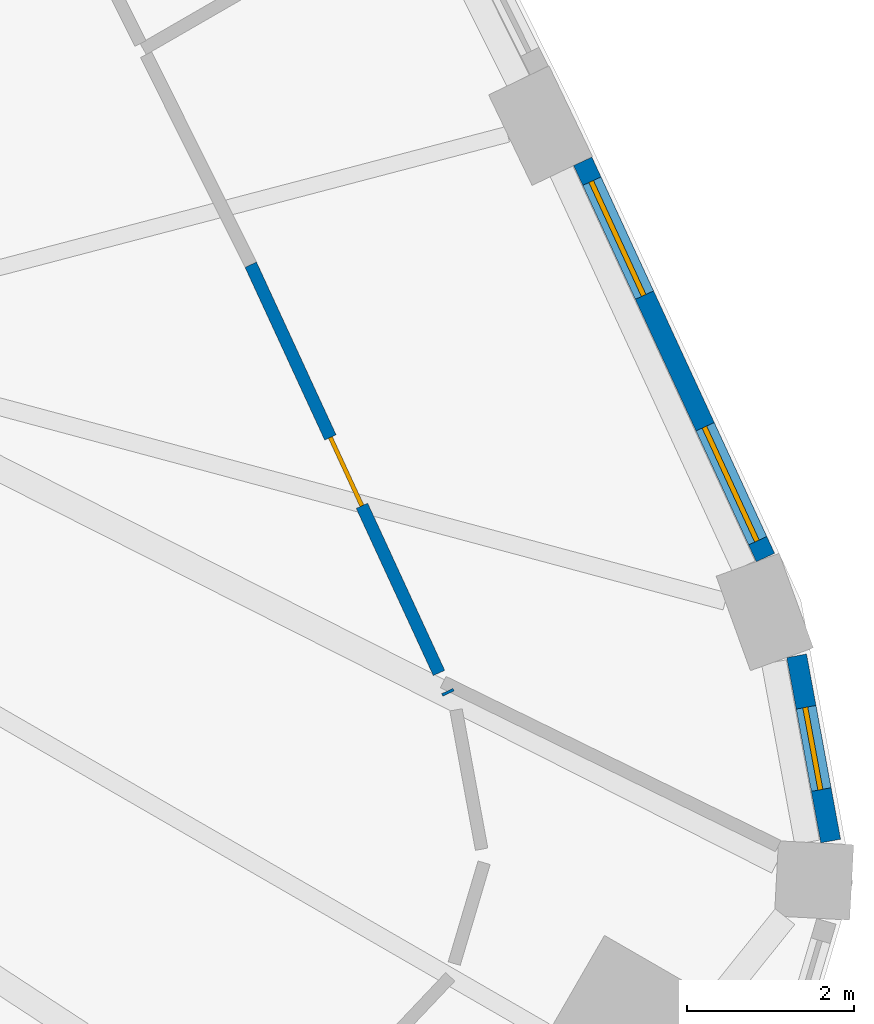
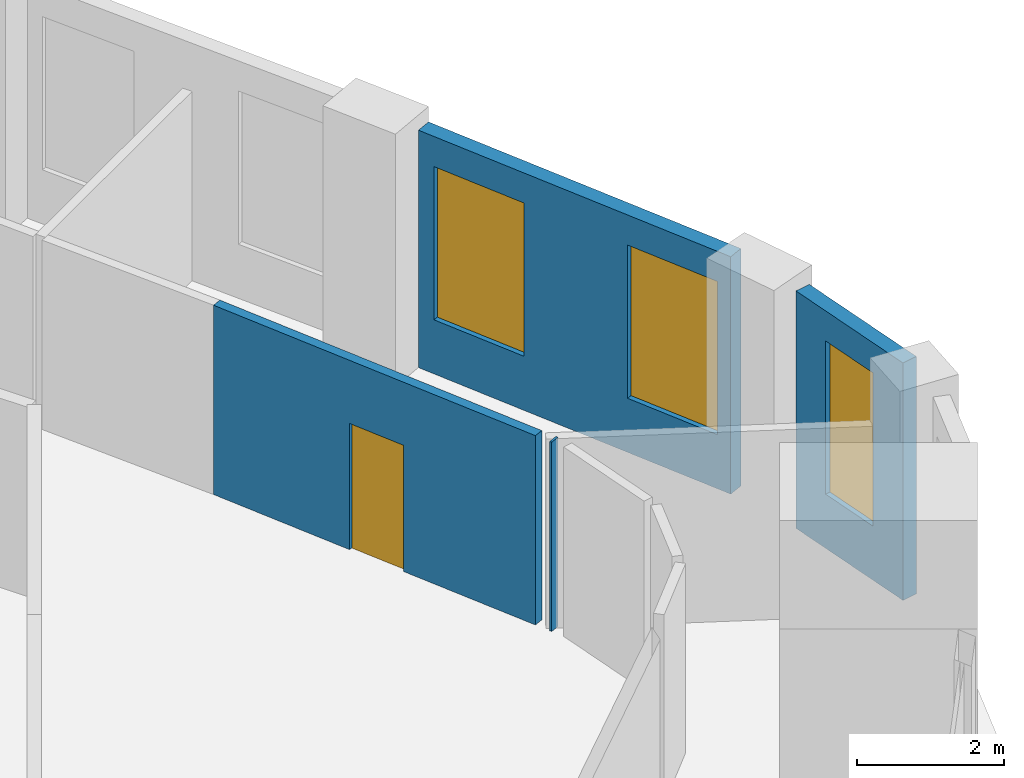
# One storey, part 7 of 11: 4 walls, 3 windows, 1 door, 4 openings.
"""IFC4 building model written with IfcOpenShell, lengths in metres."""

from ifc_helpers import new_model, si_unit, direction, frame, frame_2d, origin, place, context, subcontext, project, spatial, rectangle, extrude, material, layer, layer_set, type_object, element, fill, save


model = new_model("IFC4")

# Units and contexts
model_context = context("Model", 3, precision=1e-05, world=origin(), true_north=direction((0.0, 1.0)))
body_context = subcontext(model_context, "Body", "Model", "MODEL_VIEW")
ifc_project = project(units=[si_unit("LENGTHUNIT", "METRE"), si_unit("AREAUNIT", "SQUARE_METRE"), si_unit("VOLUMEUNIT", "CUBIC_METRE"), si_unit("PLANEANGLEUNIT", "RADIAN"), si_unit("MASSUNIT", "GRAM", prefix="KILO")], contexts=[model_context])

# Site, building, storey
site_placement = place(None, origin())
site = spatial("IfcSite", under=ifc_project, at=site_placement, CompositionType="ELEMENT")
building_placement = place(site_placement, origin())
building = spatial("IfcBuilding", under=site, at=building_placement, Name="Mestral Congress Tower", CompositionType="ELEMENT")
storey_placement = place(building_placement, frame((0.0, 0.0, 171.0)))
storey = spatial("IfcBuildingStorey", under=building, at=storey_placement, Name="L40", CompositionType="ELEMENT", Elevation=171.0)

# Wall, opening, window
ifc_material_1 = material(Name="Precast concrete C40/50 with limestone facing", Category="masonry")
ifc_layer_1 = layer(ifc_material_1, 0.239990234375)
ifc_layer_set_1 = layer_set([ifc_layer_1], Name="Precast concrete C40/50 with limestone facing")
wall_type_1 = type_object("IfcWallType", Name="Facade stone wall 240", PredefinedType="SOLIDWALL", material=ifc_layer_set_1)
wall_1_placement = place(storey_placement, frame((28.79931640625, -12.380126953125, 0.0), z_axis=(0.0, 0.0, 1.0), x_axis=(-0.180737189259, 0.983531427265, 0.0)))
wall_1 = element("IfcWall", 1, at=wall_1_placement, inside=storey, type_object=wall_type_1, Name="Facade wall K0-3", PredefinedType="SOLIDWALL", context=body_context, shape_type="SweptSolid", body=[
    extrude(rectangle(XDim=2.25048828125, YDim=0.239990234375, at=frame_2d((1.125244140625, 0.0))), origin(), (0.0, 0.0, 1.0), 3.949951171875),
])
opening_1_placement = place(wall_1_placement, frame((0.625244140625, 0.0, 0.89990234375)))
opening_1 = element("IfcOpeningElement", 2, at=opening_1_placement, cuts=wall_1, Name="Opening W5", PredefinedType="OPENING", context=body_context, shape_type="SweptSolid", body=[
    extrude(rectangle(XDim=1.0, YDim=2.550048828125, at=frame_2d((0.5, 1.27490234375))), frame((0.0, 0.1298828125, 0.0), z_axis=(0.0, -1.0, 0.0), x_axis=(1.0, 0.0, 0.0)), (0.0, 0.0, 1.0), 0.260009765625),
])
ifc_material_2 = material(Name="Clear low-emissivity double glazing", Category="glass")
window_type_1 = type_object("IfcWindowType", Name="Facade punched window 1000 x 2550 sill 900", PartitioningType="SINGLE_PANEL", PredefinedType="WINDOW", material=ifc_material_2)
window_1_placement = place(opening_1_placement, origin())
window_1 = element("IfcWindow", 3, at=window_1_placement, inside=storey, type_object=window_type_1, Name="Window K0-3", OverallHeight=2.550048828125, OverallWidth=1.0, PartitioningType="SINGLE_PANEL", PredefinedType="WINDOW", context=body_context, shape_type="SweptSolid", body=[
    extrude(rectangle(XDim=1.0, YDim=2.550048828125, at=frame_2d((0.5, 1.27490234375))), frame((0.0, 0.0400390625, 0.0), z_axis=(0.0, -1.0, 0.0), x_axis=(1.0, 0.0, 0.0)), (0.0, 0.0, 1.0), 0.06005859375),
])
fill(opening_1, window_1)

# Wall, openings, windows
wall_2_placement = place(storey_placement, frame((28.019775390625, -8.991943359375, 0.0), z_axis=(0.0, 0.0, 1.0), x_axis=(-0.418722559465, 0.908114209885, 0.0)))
wall_2 = element("IfcWall", 4, at=wall_2_placement, inside=storey, type_object=wall_type_1, Name="Facade wall F1-00", PredefinedType="SOLIDWALL", context=body_context, shape_type="SweptSolid", body=[
    extrude(rectangle(XDim=5.213134765625, YDim=0.239990234375, at=frame_2d((2.6064453125, 0.0))), origin(), (0.0, 0.0, 1.0), 3.949951171875),
])
opening_2_placement = place(wall_2_placement, frame((0.220947265625, 0.0, 0.89990234375)))
opening_2 = element("IfcOpeningElement", 5, at=opening_2_placement, cuts=wall_2, Name="Opening W4", PredefinedType="OPENING", context=body_context, shape_type="SweptSolid", body=[
    extrude(rectangle(XDim=1.5, YDim=2.550048828125, at=frame_2d((0.75, 1.27490234375))), frame((0.0, 0.1298828125, 0.0), z_axis=(0.0, -1.0, 0.0), x_axis=(1.0, 0.0, 0.0)), (0.0, 0.0, 1.0), 0.260009765625),
])
opening_3_placement = place(wall_2_placement, frame((3.452392578125, 0.0, 0.89990234375)))
opening_3 = element("IfcOpeningElement", 6, at=opening_3_placement, cuts=wall_2, Name="Opening W4", PredefinedType="OPENING", context=body_context, shape_type="SweptSolid", body=[
    extrude(rectangle(XDim=1.5, YDim=2.550048828125, at=frame_2d((0.75, 1.27490234375))), frame((0.0, 0.1298828125, 0.0), z_axis=(0.0, -1.0, 0.0), x_axis=(1.0, 0.0, 0.0)), (0.0, 0.0, 1.0), 0.260009765625),
])
window_type_2 = type_object("IfcWindowType", Name="Facade punched window 1500 x 2550 sill 900", PartitioningType="SINGLE_PANEL", PredefinedType="WINDOW", material=ifc_material_2)
window_2_placement = place(opening_2_placement, origin())
window_2 = element("IfcWindow", 7, at=window_2_placement, inside=storey, type_object=window_type_2, Name="Window F1-00a", OverallHeight=2.550048828125, OverallWidth=1.5, PartitioningType="SINGLE_PANEL", PredefinedType="WINDOW", context=body_context, shape_type="SweptSolid", body=[
    extrude(rectangle(XDim=1.5, YDim=2.550048828125, at=frame_2d((0.75, 1.27490234375))), frame((0.0, 0.0400390625, 0.0), z_axis=(0.0, -1.0, 0.0), x_axis=(1.0, 0.0, 0.0)), (0.0, 0.0, 1.0), 0.06005859375),
])
fill(opening_2, window_2)
window_3_placement = place(opening_3_placement, origin())
window_3 = element("IfcWindow", 8, at=window_3_placement, inside=storey, type_object=window_type_2, Name="Window F1-00b", OverallHeight=2.550048828125, OverallWidth=1.5, PartitioningType="SINGLE_PANEL", PredefinedType="WINDOW", context=body_context, shape_type="SweptSolid", body=[
    extrude(rectangle(XDim=1.5, YDim=2.550048828125, at=frame_2d((0.75, 1.27490234375))), frame((0.0, 0.0400390625, 0.0), z_axis=(0.0, -1.0, 0.0), x_axis=(1.0, 0.0, 0.0)), (0.0, 0.0, 1.0), 0.06005859375),
])
fill(opening_3, window_3)

# Wall
ifc_material_3 = material(Name="Plasterboard partition on steel studs", Category="steel")
ifc_layer_2 = layer(ifc_material_3, 0.14990234375)
ifc_layer_set_2 = layer_set([ifc_layer_2], Name="Plasterboard partition on steel studs")
wall_type_2 = type_object("IfcWallType", Name="Office partition 150", PredefinedType="PARTITIONING", material=ifc_layer_set_2)
wall_3_placement = place(storey_placement, frame((24.232666015625, -10.617919921875, 0.0), z_axis=(0.0, 0.0, 1.0), x_axis=(-0.423685108901, 0.905809543169, 0.0)))
element("IfcWall", 9, at=wall_3_placement, inside=storey, type_object=wall_type_2, Name="Partition", PredefinedType="PARTITIONING", context=body_context, shape_type="SweptSolid", body=[
    extrude(rectangle(XDim=0.033447265625, YDim=0.14990234375, at=frame_2d((0.0166015625, 0.0))), origin(), (0.0, 0.0, 1.0), 3.14990234375),
])

# Wall, opening, door
wall_4_placement = place(storey_placement, frame((21.869384765625, -5.492919921875, 0.0), z_axis=(0.0, 0.0, 1.0), x_axis=(0.4187440514, -0.908104299856, 0.0)))
wall_4 = element("IfcWall", 10, at=wall_4_placement, inside=storey, type_object=wall_type_2, Name="Partition", PredefinedType="PARTITIONING", context=body_context, shape_type="SweptSolid", body=[
    extrude(rectangle(XDim=5.37255859375, YDim=0.14990234375, at=frame_2d((2.686279296875, 0.0))), origin(), (0.0, 0.0, 1.0), 3.14990234375),
])
opening_4_placement = place(wall_4_placement, frame((2.272705078125, 0.0, 0.0)))
opening_4 = element("IfcOpeningElement", 11, at=opening_4_placement, cuts=wall_4, Name="Opening O03-005", PredefinedType="OPENING", context=body_context, shape_type="SweptSolid", body=[
    extrude(rectangle(XDim=0.89990234375, YDim=2.10009765625, at=frame_2d((0.449951171875, 1.050048828125))), frame((0.0, 0.0849609375, 0.0), z_axis=(0.0, -1.0, 0.0), x_axis=(1.0, 0.0, 0.0)), (0.0, 0.0, 1.0), 0.169921875),
])
ifc_material_4 = material(Name="Timber door set", Category="wood")
door_type = type_object("IfcDoorType", Name="Office door 900x2100", OperationType="SINGLE_SWING_LEFT", PredefinedType="DOOR", material=ifc_material_4)
door_placement = place(opening_4_placement, origin())
door = element("IfcDoor", 12, at=door_placement, inside=storey, type_object=door_type, Name="Door O03-005", OperationType="SINGLE_SWING_RIGHT", OverallHeight=2.10009765625, OverallWidth=0.89990234375, PredefinedType="DOOR", context=body_context, shape_type="SweptSolid", body=[
    extrude(rectangle(XDim=0.89990234375, YDim=2.10009765625, at=frame_2d((0.449951171875, 1.050048828125))), frame((0.0, 0.02490234375, 0.0), z_axis=(0.0, -1.0, 0.0), x_axis=(1.0, 0.0, 0.0)), (0.0, 0.0, 1.0), 0.050048828125),
])
fill(opening_4, door)

save(model, "model.ifc")
